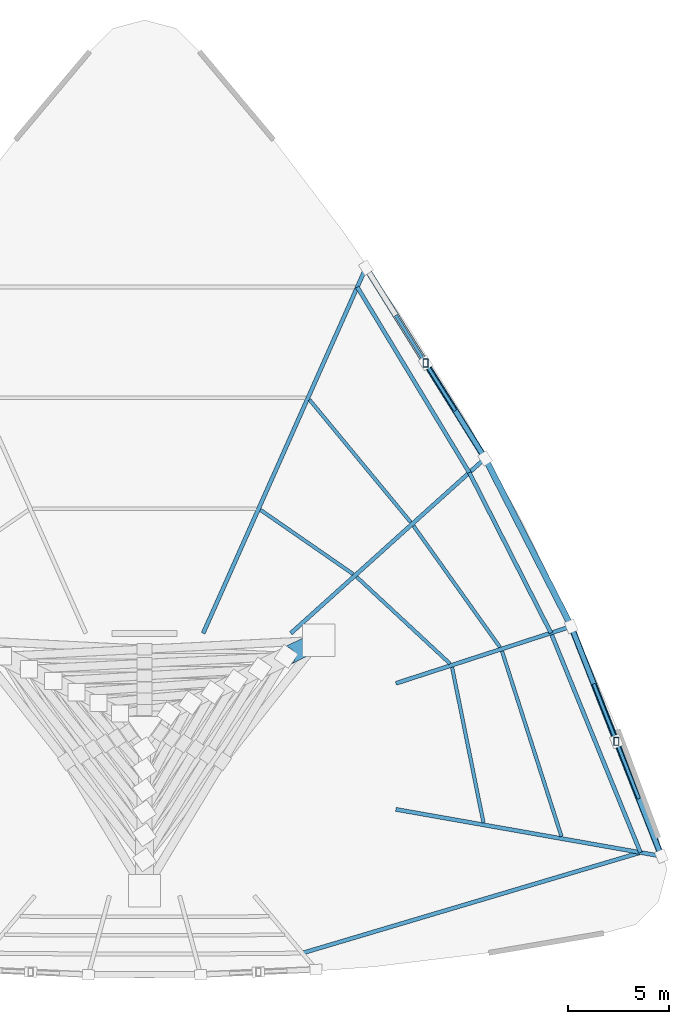
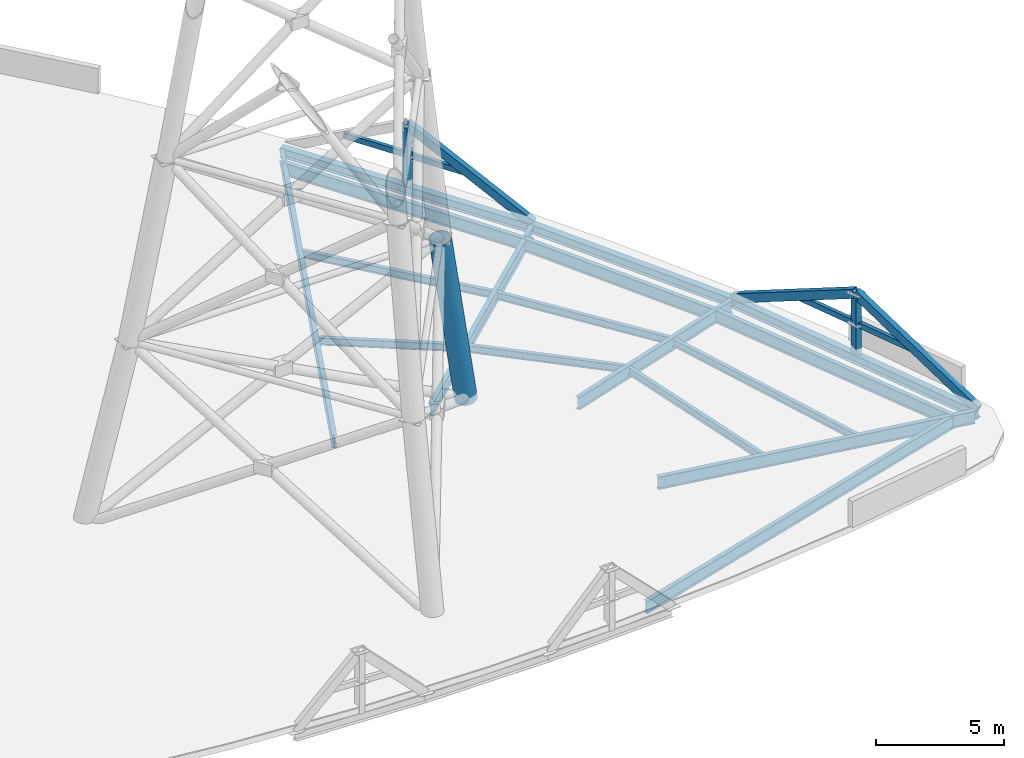
# One storey, part 5 of 7: 17 beams, 10 members.
"""IFC4 building model written with IfcOpenShell, lengths in metres."""

from ifc_helpers import new_model, si_unit, direction, frame, origin, origin_2d, place, context, subcontext, project, spatial, hollow_rectangle, hollow_circle, i_section, extrude, source, transform, mapped, material, material_profile, profile_set, type_object, element, save


model = new_model("IFC4")

# Units and contexts
model_context = context("Model", 3, precision=1e-05, world=origin(), true_north=direction((0.0, 1.0)))
body_context = subcontext(model_context, "Body", "Model", "MODEL_VIEW")
ifc_project = project(units=[si_unit("LENGTHUNIT", "METRE"), si_unit("AREAUNIT", "SQUARE_METRE"), si_unit("VOLUMEUNIT", "CUBIC_METRE"), si_unit("PLANEANGLEUNIT", "RADIAN"), si_unit("MASSUNIT", "GRAM", prefix="KILO"), si_unit("THERMODYNAMICTEMPERATUREUNIT", "KELVIN"), si_unit("POWERUNIT", "WATT")], contexts=[model_context])

# Site, building, storey
site_placement = place(None, origin())
site = spatial("IfcSite", under=ifc_project, at=site_placement, CompositionType="ELEMENT")
building_placement = place(site_placement, origin())
building = spatial("IfcBuilding", under=site, at=building_placement, Name="Yunzhuo Pagoda Commons", CompositionType="ELEMENT")
storey_placement = place(building_placement, frame((0.0, 0.0, 401.760009765625)))
storey = spatial("IfcBuildingStorey", under=building, at=storey_placement, Name="Roof", CompositionType="ELEMENT", Elevation=401.760009765625)

# Beams
ifc_material_1 = material(Name="Structural steel Q355B", Category="steel")
ifc_material_profile_1 = material_profile(ifc_material_1, i_section(OverallWidth=0.199951171875, OverallDepth=0.60009765625, WebThickness=0.010986328125, FlangeThickness=0.01708984375, at=origin_2d()), Name="Structural steel Q355B")
ifc_profile_set_1 = profile_set([ifc_material_profile_1], Name="Structural steel Q355B")
beam_type_1 = type_object("IfcBeamType", Name="B-RG3 Beam HN 600x200x11x17", PredefinedType="BEAM", material=ifc_profile_set_1)
shared_shape_1 = source(origin(), body_context, "Body", "SweptSolid", [
    extrude(i_section(OverallWidth=0.199951171875, OverallDepth=0.60009765625, WebThickness=0.010986328125, FlangeThickness=0.01708984375, at=origin_2d()), origin(), (0.0, 0.0, 1.0), 17.407470703125),
])
beam_1_placement = place(storey_placement, frame((55.785400390625, 24.421630859375, -0.580078125), z_axis=(0.958484984609, 0.285143006717, 0.0), x_axis=(-0.285143006717, 0.958484984609, 0.0)))
element("IfcBeam", 1, at=beam_1_placement, inside=storey, type_object=beam_type_1, Name="Roof column-ring beam 4", PredefinedType="BEAM", context=body_context, shape_type="MappedRepresentation", body=[
    mapped(shared_shape_1, transform((0.0, 0.0, 0.0), scale=1.0)),
])
shared_shape_2 = source(origin(), body_context, "Body", "SweptSolid", [
    extrude(i_section(OverallWidth=0.199951171875, OverallDepth=0.60009765625, WebThickness=0.010986328125, FlangeThickness=0.01708984375, at=origin_2d()), origin(), (0.0, 0.0, 1.0), 11.696533203125),
])
beam_2_placement = place(storey_placement, frame((72.47021484375, 29.38525390625, -0.580078125), z_axis=(-0.377611800863, 0.925963999219, 0.0), x_axis=(-0.925963999219, -0.377611800863, 0.0)))
element("IfcBeam", 2, at=beam_2_placement, inside=storey, type_object=beam_type_1, Name="Roof column-ring beam 5", PredefinedType="BEAM", context=body_context, shape_type="MappedRepresentation", body=[
    mapped(shared_shape_2, transform((0.0, 0.0, 0.0), scale=1.0)),
])
shared_shape_3 = source(origin(), body_context, "Body", "SweptSolid", [
    extrude(i_section(OverallWidth=0.199951171875, OverallDepth=0.60009765625, WebThickness=0.010986328125, FlangeThickness=0.01708984375, at=origin_2d()), origin(), (0.0, 0.0, 1.0), 8.87939453125),
])
beam_3_placement = place(storey_placement, frame((68.053466796875, 40.2158203125, -0.580078125), z_axis=(-0.453723535687, 0.891142498798, 0.0), x_axis=(-0.891142498798, -0.453723535687, 0.0)))
element("IfcBeam", 3, at=beam_3_placement, inside=storey, type_object=beam_type_1, Name="Roof column-ring beam 6", PredefinedType="BEAM", context=body_context, shape_type="MappedRepresentation", body=[
    mapped(shared_shape_3, transform((0.0, 0.0, 0.0), scale=1.0)),
])
shared_shape_4 = source(origin(), body_context, "Body", "SweptSolid", [
    extrude(i_section(OverallWidth=0.199951171875, OverallDepth=0.60009765625, WebThickness=0.010986328125, FlangeThickness=0.01708984375, at=origin_2d()), origin(), (0.0, 0.0, 1.0), 10.691162109375),
])
beam_4_placement = place(storey_placement, frame((64.024658203125, 48.128662109375, -0.580078125), z_axis=(-0.516864678433, 0.856067114301, 0.0), x_axis=(-0.856067114301, -0.516864678433, 0.0)))
element("IfcBeam", 4, at=beam_4_placement, inside=storey, type_object=beam_type_1, Name="Roof column-ring beam 7", PredefinedType="BEAM", context=body_context, shape_type="MappedRepresentation", body=[
    mapped(shared_shape_4, transform((0.0, 0.0, 0.0), scale=1.0)),
])
ifc_material_profile_2 = material_profile(ifc_material_1, i_section(OverallWidth=0.175048828125, OverallDepth=0.35009765625, WebThickness=0.007080078125, FlangeThickness=0.010986328125, at=origin_2d()), Name="Structural steel Q355B")
ifc_profile_set_2 = profile_set([ifc_material_profile_2], Name="Structural steel Q355B")
beam_type_2 = type_object("IfcBeamType", Name="B-JS2 Joist HN 350x175x7x11", PredefinedType="JOIST", material=ifc_profile_set_2)
shared_shape_5 = source(origin(), body_context, "Body", "SweptSolid", [
    extrude(i_section(OverallWidth=0.175048828125, OverallDepth=0.35009765625, WebThickness=0.007080078125, FlangeThickness=0.010986328125, at=origin_2d()), origin(), (0.0, 0.0, 1.0), 7.8056640625),
])
beam_5_placement = place(storey_placement, frame((64.722412109375, 30.860107421875, -0.455078125), z_axis=(-0.197830082137, 0.980236327934, 0.0), x_axis=(-0.980236327934, -0.197830082137, 0.0)))
element("IfcBeam", 5, at=beam_5_placement, inside=storey, type_object=beam_type_2, Name="Roof composite ring joist 1.5", PredefinedType="JOIST", context=body_context, shape_type="MappedRepresentation", body=[
    mapped(shared_shape_5, transform((0.0, 0.0, 0.0), scale=1.0)),
])
shared_shape_6 = source(origin(), body_context, "Body", "SweptSolid", [
    extrude(i_section(OverallWidth=0.175048828125, OverallDepth=0.35009765625, WebThickness=0.007080078125, FlangeThickness=0.010986328125, at=origin_2d()), origin(), (0.0, 0.0, 1.0), 9.593994140625),
])
beam_6_placement = place(storey_placement, frame((68.572509765625, 30.17578125, -0.455078125), z_axis=(-0.305719218499, 0.952121714614, 0.0), x_axis=(-0.952121714614, -0.305719218499, 0.0)))
element("IfcBeam", 6, at=beam_6_placement, inside=storey, type_object=beam_type_2, Name="Roof composite ring joist 2.5", PredefinedType="JOIST", context=body_context, shape_type="MappedRepresentation", body=[
    mapped(shared_shape_6, transform((0.0, 0.0, 0.0), scale=1.0)),
])
shared_shape_7 = source(origin(), body_context, "Body", "SweptSolid", [
    extrude(i_section(OverallWidth=0.175048828125, OverallDepth=0.35009765625, WebThickness=0.007080078125, FlangeThickness=0.010986328125, at=origin_2d()), origin(), (0.0, 0.0, 1.0), 6.277099609375),
])
beam_7_placement = place(storey_placement, frame((63.071044921875, 38.702392578125, -0.455078125), z_axis=(-0.73244154109, 0.68082992655, 0.0), x_axis=(-0.68082992655, -0.73244154109, 0.0)))
element("IfcBeam", 7, at=beam_7_placement, inside=storey, type_object=beam_type_2, Name="Roof composite ring joist 1.6", PredefinedType="JOIST", context=body_context, shape_type="MappedRepresentation", body=[
    mapped(shared_shape_7, transform((0.0, 0.0, 0.0), scale=1.0)),
])
shared_shape_8 = source(origin(), body_context, "Body", "SweptSolid", [
    extrude(i_section(OverallWidth=0.175048828125, OverallDepth=0.35009765625, WebThickness=0.007080078125, FlangeThickness=0.010986328125, at=origin_2d()), origin(), (0.0, 0.0, 1.0), 7.347900390625),
])
beam_8_placement = place(storey_placement, frame((65.53759765625, 39.513671875, -0.455078125), z_axis=(-0.580294898948, 0.814406428177, 0.0), x_axis=(-0.814406428177, -0.580294898948, 0.0)))
element("IfcBeam", 8, at=beam_8_placement, inside=storey, type_object=beam_type_2, Name="Roof composite ring joist 2.6", PredefinedType="JOIST", context=body_context, shape_type="MappedRepresentation", body=[
    mapped(shared_shape_8, transform((0.0, 0.0, 0.0), scale=1.0)),
])
shared_shape_9 = source(origin(), body_context, "Body", "SweptSolid", [
    extrude(i_section(OverallWidth=0.175048828125, OverallDepth=0.35009765625, WebThickness=0.007080078125, FlangeThickness=0.010986328125, at=origin_2d()), origin(), (0.0, 0.0, 1.0), 5.556640625),
])
beam_9_placement = place(storey_placement, frame((58.29443359375, 43.119873046875, -0.455078125), z_axis=(-0.822084621883, 0.569365326011, 0.0), x_axis=(-0.569365326011, -0.822084621883, 0.0)))
element("IfcBeam", 9, at=beam_9_placement, inside=storey, type_object=beam_type_2, Name="Roof composite ring joist 1.7", PredefinedType="JOIST", context=body_context, shape_type="MappedRepresentation", body=[
    mapped(shared_shape_9, transform((0.0, 0.0, 0.0), scale=1.0)),
])
shared_shape_10 = source(origin(), body_context, "Body", "SweptSolid", [
    extrude(i_section(OverallWidth=0.175048828125, OverallDepth=0.35009765625, WebThickness=0.007080078125, FlangeThickness=0.010986328125, at=origin_2d()), origin(), (0.0, 0.0, 1.0), 7.842529296875),
])
beam_10_placement = place(storey_placement, frame((61.133544921875, 45.68017578125, -0.455078125), z_axis=(-0.636899145749, 0.770947130577, 0.0), x_axis=(-0.770947130577, -0.636899145749, 0.0)))
element("IfcBeam", 10, at=beam_10_placement, inside=storey, type_object=beam_type_2, Name="Roof composite ring joist 2.7", PredefinedType="JOIST", context=body_context, shape_type="MappedRepresentation", body=[
    mapped(shared_shape_10, transform((0.0, 0.0, 0.0), scale=1.0)),
])
shared_shape_11 = source(origin(), body_context, "Body", "SweptSolid", [
    extrude(i_section(OverallWidth=0.199951171875, OverallDepth=0.60009765625, WebThickness=0.010986328125, FlangeThickness=0.01708984375, at=origin_2d()), origin(), (0.0, 0.0, 1.0), 13.151611328125),
])
beam_11_placement = place(storey_placement, frame((73.351806640625, 29.229736328125, -0.580078125), z_axis=(-0.98480877727, 0.173642368713, 0.0), x_axis=(-0.173642368713, -0.98480877727, 0.0)))
element("IfcBeam", 11, at=beam_11_placement, inside=storey, type_object=beam_type_1, Name="Roof radial floor girder F2C1", PredefinedType="BEAM", context=body_context, shape_type="MappedRepresentation", body=[
    mapped(shared_shape_11, transform((0.0, 0.0, 0.0), scale=1.0)),
])
shared_shape_12 = source(origin(), body_context, "Body", "SweptSolid", [
    extrude(i_section(OverallWidth=0.199951171875, OverallDepth=0.60009765625, WebThickness=0.010986328125, FlangeThickness=0.01708984375, at=origin_2d()), origin(), (0.0, 0.0, 1.0), 8.942626953125),
])
beam_12_placement = place(storey_placement, frame((68.90478515625, 40.492431640625, -0.580078125), z_axis=(-0.951055734301, -0.309019401095, 0.0), x_axis=(0.309019401095, -0.951055734301, 0.0)))
element("IfcBeam", 12, at=beam_12_placement, inside=storey, type_object=beam_type_1, Name="Roof radial floor girder F2C2", PredefinedType="BEAM", context=body_context, shape_type="MappedRepresentation", body=[
    mapped(shared_shape_12, transform((0.0, 0.0, 0.0), scale=1.0)),
])
shared_shape_13 = source(origin(), body_context, "Body", "SweptSolid", [
    extrude(i_section(OverallWidth=0.199951171875, OverallDepth=0.60009765625, WebThickness=0.010986328125, FlangeThickness=0.01708984375, at=origin_2d()), origin(), (0.0, 0.0, 1.0), 12.744140625),
])
beam_13_placement = place(storey_placement, frame((64.689697265625, 48.7275390625, -0.580078125), z_axis=(-0.743139811769, -0.669136174605, 0.0), x_axis=(0.669136174605, -0.743139811769, 0.0)))
element("IfcBeam", 13, at=beam_13_placement, inside=storey, type_object=beam_type_1, Name="Roof radial floor girder F2C3", PredefinedType="BEAM", context=body_context, shape_type="MappedRepresentation", body=[
    mapped(shared_shape_13, transform((0.0, 0.0, 0.0), scale=1.0)),
])
shared_shape_14 = source(origin(), body_context, "Body", "SweptSolid", [
    extrude(i_section(OverallWidth=0.199951171875, OverallDepth=0.60009765625, WebThickness=0.010986328125, FlangeThickness=0.01708984375, at=origin_2d()), origin(), (0.0, 0.0, 1.0), 19.59228515625),
])
beam_14_placement = place(storey_placement, frame((58.86279296875, 58.098388671875, -0.580078125), z_axis=(-0.406730347382, -0.91354826064, 0.0), x_axis=(0.91354826064, -0.406730347382, 0.0)))
element("IfcBeam", 14, at=beam_14_placement, inside=storey, type_object=beam_type_1, Name="Roof radial floor girder F2C4", PredefinedType="BEAM", context=body_context, shape_type="MappedRepresentation", body=[
    mapped(shared_shape_14, transform((0.0, 0.0, 0.0), scale=1.0)),
])
ifc_material_profile_3 = material_profile(ifc_material_1, i_section(OverallWidth=0.300048828125, OverallDepth=0.43994140625, WebThickness=0.010986328125, FlangeThickness=0.01806640625, at=origin_2d()), Name="Structural steel Q355B")
ifc_profile_set_3 = profile_set([ifc_material_profile_3], Name="Structural steel Q355B")
beam_type_3 = type_object("IfcBeamType", Name="B-SP2 Beam HM 440x300x11x18", PredefinedType="BEAM", material=ifc_profile_set_3)
shared_shape_15 = source(origin(), body_context, "Body", "SweptSolid", [
    extrude(i_section(OverallWidth=0.300048828125, OverallDepth=0.43994140625, WebThickness=0.010986328125, FlangeThickness=0.01806640625, at=origin_2d()), origin(), (0.0, 0.0, 1.0), 12.18017578125),
])
beam_15_placement = place(storey_placement, frame((73.504150390625, 29.202880859375, -0.5), z_axis=(-0.365522138301, 0.930802646328, 0.0), x_axis=(-0.930802646328, -0.365522138301, 0.0)))
element("IfcBeam", 15, at=beam_15_placement, inside=storey, type_object=beam_type_3, Name="Roof facade edge spandrel beam F2.1", PredefinedType="BEAM", context=body_context, shape_type="MappedRepresentation", body=[
    mapped(shared_shape_15, transform((0.0, 0.0, 0.0), scale=1.0)),
])
shared_shape_16 = source(origin(), body_context, "Body", "SweptSolid", [
    extrude(i_section(OverallWidth=0.300048828125, OverallDepth=0.43994140625, WebThickness=0.010986328125, FlangeThickness=0.01806640625, at=origin_2d()), origin(), (0.0, 0.0, 1.0), 9.3154296875),
])
beam_16_placement = place(storey_placement, frame((69.052001953125, 40.540283203125, -0.5), z_axis=(-0.455914353887, 0.89002365245, 0.0), x_axis=(-0.89002365245, -0.455914353887, 0.0)))
element("IfcBeam", 16, at=beam_16_placement, inside=storey, type_object=beam_type_3, Name="Roof facade edge spandrel beam F2.2", PredefinedType="BEAM", context=body_context, shape_type="MappedRepresentation", body=[
    mapped(shared_shape_16, transform((0.0, 0.0, 0.0), scale=1.0)),
])
shared_shape_17 = source(origin(), body_context, "Body", "SweptSolid", [
    extrude(i_section(OverallWidth=0.300048828125, OverallDepth=0.43994140625, WebThickness=0.010986328125, FlangeThickness=0.01806640625, at=origin_2d()), origin(), (0.0, 0.0, 1.0), 11.094482421875),
])
beam_17_placement = place(storey_placement, frame((64.804931640625, 48.831298828125, -0.5), z_axis=(-0.529915860294, 0.848050223164, 0.0), x_axis=(-0.848050223164, -0.529915860294, 0.0)))
element("IfcBeam", 17, at=beam_17_placement, inside=storey, type_object=beam_type_3, Name="Roof facade edge spandrel beam F2.3", PredefinedType="BEAM", context=body_context, shape_type="MappedRepresentation", body=[
    mapped(shared_shape_17, transform((0.0, 0.0, 0.0), scale=1.0)),
])

# Members
ifc_material_profile_4 = material_profile(ifc_material_1, hollow_rectangle(XDim=0.25, YDim=0.39990234375, WallThickness=0.01611328125, at=origin_2d()), Name="Structural steel Q355B")
ifc_profile_set_4 = profile_set([ifc_material_profile_4], Name="Structural steel Q355B")
member_type_1 = type_object("IfcMemberType", Name="M-RFT Rafter RHS 400x250x16", PredefinedType="RAFTER", material=ifc_profile_set_4)
shared_shape_18 = source(origin(), body_context, "Body", "SweptSolid", [
    extrude(hollow_rectangle(XDim=0.25, YDim=0.39990234375, WallThickness=0.01611328125, at=origin_2d()), origin(), (0.0, 0.0, 1.0), 2.8798828125),
])
for number, where, z_axis, x_axis, name in (
    (18, (71.278076171875, 34.87158203125, -0.27978515625), (0.0, 0.0, 1.0), (1.0, 0.0, 0.0), "Crown gable king-post F2.1"),
    (19, (61.86572265625, 53.535888671875, -0.27978515625), (0.0, 0.0, 1.0), (1.0, 0.0, 0.0), "Crown gable king-post F2.2"),
):
    element("IfcMember", number, at=place(storey_placement, frame(where, z_axis=z_axis, x_axis=x_axis)), inside=storey, type_object=member_type_1, Name=name, PredefinedType="RAFTER", context=body_context, shape_type="MappedRepresentation", body=[
        mapped(shared_shape_18, transform((0.0, 0.0, 0.0), scale=1.0)),
    ])
shared_shape_19 = source(origin(), body_context, "Body", "SweptSolid", [
    extrude(hollow_rectangle(XDim=0.25, YDim=0.39990234375, WallThickness=0.01611328125, at=origin_2d()), origin(), (0.0, 0.0, 1.0), 6.73681640625),
])
for number, where, z_axis, x_axis, name in (
    (20, (73.504150390625, 29.202880859375, -0.27978515625), (-0.330439215766, 0.841463934071, 0.427490786266), (-0.930802646328, -0.365522138301, 0.0), "Crown gable rafter F2.1L"),
    (21, (69.052001953125, 40.540283203125, -0.27978515625), (0.330439215766, -0.841463934071, 0.427490786266), (0.930802646328, 0.365522138301, 0.0), "Crown gable rafter F2.1R"),
):
    element("IfcMember", number, at=place(storey_placement, frame(where, z_axis=z_axis, x_axis=x_axis)), inside=storey, type_object=member_type_1, Name=name, PredefinedType="RAFTER", context=body_context, shape_type="MappedRepresentation", body=[
        mapped(shared_shape_19, transform((0.0, 0.0, 0.0), scale=1.0)),
    ])
ifc_material_profile_5 = material_profile(ifc_material_1, hollow_rectangle(XDim=0.159912109375, YDim=0.260009765625, WallThickness=0.010009765625, at=origin_2d()), Name="Structural steel Q355B")
ifc_profile_set_5 = profile_set([ifc_material_profile_5], Name="Structural steel Q355B")
member_type_2 = type_object("IfcMemberType", Name="M-PRL Purlin RHS 260x160x10", PredefinedType="PURLIN", material=ifc_profile_set_5)
shared_shape_20 = source(origin(), body_context, "Body", "SweptSolid", [
    extrude(hollow_rectangle(XDim=0.159912109375, YDim=0.260009765625, WallThickness=0.010009765625, at=origin_2d()), origin(), (0.0, 0.0, 1.0), 2.91015625),
])
member_1_placement = place(storey_placement, frame((72.39111328125, 32.037109375, 1.159912109375), z_axis=(-0.36552518419, 0.930801450215, 0.0), x_axis=(-0.930801450215, -0.36552518419, 0.0)))
element("IfcMember", 22, at=member_1_placement, inside=storey, type_object=member_type_2, Name="Crown gable purlin F2.1L", PredefinedType="PURLIN", context=body_context, shape_type="MappedRepresentation", body=[
    mapped(shared_shape_20, transform((0.0, 0.0, 0.0), scale=1.0)),
])
shared_shape_21 = source(origin(), body_context, "Body", "SweptSolid", [
    extrude(hollow_rectangle(XDim=0.159912109375, YDim=0.260009765625, WallThickness=0.010009765625, at=origin_2d()), origin(), (0.0, 0.0, 1.0), 2.909912109375),
])
member_2_placement = place(storey_placement, frame((71.228759765625, 34.99755859375, 1.159912109375), z_axis=(-0.365553729542, 0.930790239967, 0.0), x_axis=(-0.930790239967, -0.365553729542, 0.0)))
element("IfcMember", 23, at=member_2_placement, inside=storey, type_object=member_type_2, Name="Crown gable purlin F2.1R", PredefinedType="PURLIN", context=body_context, shape_type="MappedRepresentation", body=[
    mapped(shared_shape_21, transform((0.0, 0.0, 0.0), scale=1.0)),
])
shared_shape_22 = source(origin(), body_context, "Body", "SweptSolid", [
    extrude(hollow_rectangle(XDim=0.25, YDim=0.39990234375, WallThickness=0.01611328125, at=origin_2d()), origin(), (0.0, 0.0, 1.0), 6.250244140625),
])
member_3_placement = place(storey_placement, frame((64.804931640625, 48.831298828125, -0.27978515625), z_axis=(-0.470253333265, 0.752702195533, 0.460761551557), x_axis=(-0.848092246778, -0.529848601918, 0.0)))
element("IfcMember", 24, at=member_3_placement, inside=storey, type_object=member_type_1, Name="Crown gable rafter F2.2L", PredefinedType="RAFTER", context=body_context, shape_type="MappedRepresentation", body=[
    mapped(shared_shape_22, transform((0.0, 0.0, 0.0), scale=1.0)),
])
shared_shape_23 = source(origin(), body_context, "Body", "SweptSolid", [
    extrude(hollow_rectangle(XDim=0.159912109375, YDim=0.260009765625, WallThickness=0.010009765625, at=origin_2d()), origin(), (0.0, 0.0, 1.0), 2.638427734375),
])
member_4_placement = place(storey_placement, frame((63.335205078125, 51.18359375, 1.159912109375), z_axis=(-0.529924081534, 0.848045085954, 0.0), x_axis=(-0.848045085954, -0.529924081534, 0.0)))
element("IfcMember", 25, at=member_4_placement, inside=storey, type_object=member_type_2, Name="Crown gable purlin F2.2L", PredefinedType="PURLIN", context=body_context, shape_type="MappedRepresentation", body=[
    mapped(shared_shape_23, transform((0.0, 0.0, 0.0), scale=1.0)),
])
shared_shape_24 = source(origin(), body_context, "Body", "SweptSolid", [
    extrude(hollow_rectangle(XDim=0.159912109375, YDim=0.260009765625, WallThickness=0.010009765625, at=origin_2d()), origin(), (0.0, 0.0, 1.0), 2.638671875),
])
member_5_placement = place(storey_placement, frame((61.7939453125, 53.650390625, 1.159912109375), z_axis=(-0.529882500848, 0.848071067361, 0.0), x_axis=(-0.848071067361, -0.529882500848, 0.0)))
element("IfcMember", 26, at=member_5_placement, inside=storey, type_object=member_type_2, Name="Crown gable purlin F2.2R", PredefinedType="PURLIN", context=body_context, shape_type="MappedRepresentation", body=[
    mapped(shared_shape_24, transform((0.0, 0.0, 0.0), scale=1.0)),
])
ifc_material_2 = material(Name="Structural steel Q420B", Category="steel")
ifc_material_profile_6 = material_profile(ifc_material_2, hollow_circle(Radius=0.449951171875, WallThickness=0.031982421875, at=origin_2d()), Name="Structural steel Q420B")
ifc_profile_set_6 = profile_set([ifc_material_profile_6], Name="Structural steel Q420B")
member_type_3 = type_object("IfcMemberType", Name="M-ML1 Mast Strut CHS 900x32", PredefinedType="STRUT", material=ifc_profile_set_6)
shared_shape_25 = source(origin(), body_context, "Body", "SweptSolid", [
    extrude(hollow_circle(Radius=0.449951171875, WallThickness=0.031982421875, at=origin_2d()), origin(), (0.0, 0.0, 1.0), 8.806396484375),
])
member_6_placement = place(storey_placement, frame((56.60009765625, 39.85009765625, -0.27978515625), z_axis=(-0.183138255912, -0.089434455582, 0.97901065233), x_axis=(0.438814865025, -0.89857749484, 0.0)))
element("IfcMember", 27, at=member_6_placement, inside=storey, type_object=member_type_3, Name="Broadcast mast leg T1.2", PredefinedType="STRUT", context=body_context, shape_type="MappedRepresentation", body=[
    mapped(shared_shape_25, transform((0.0, 0.0, 0.0), scale=1.0)),
])

save(model, "model.ifc")
